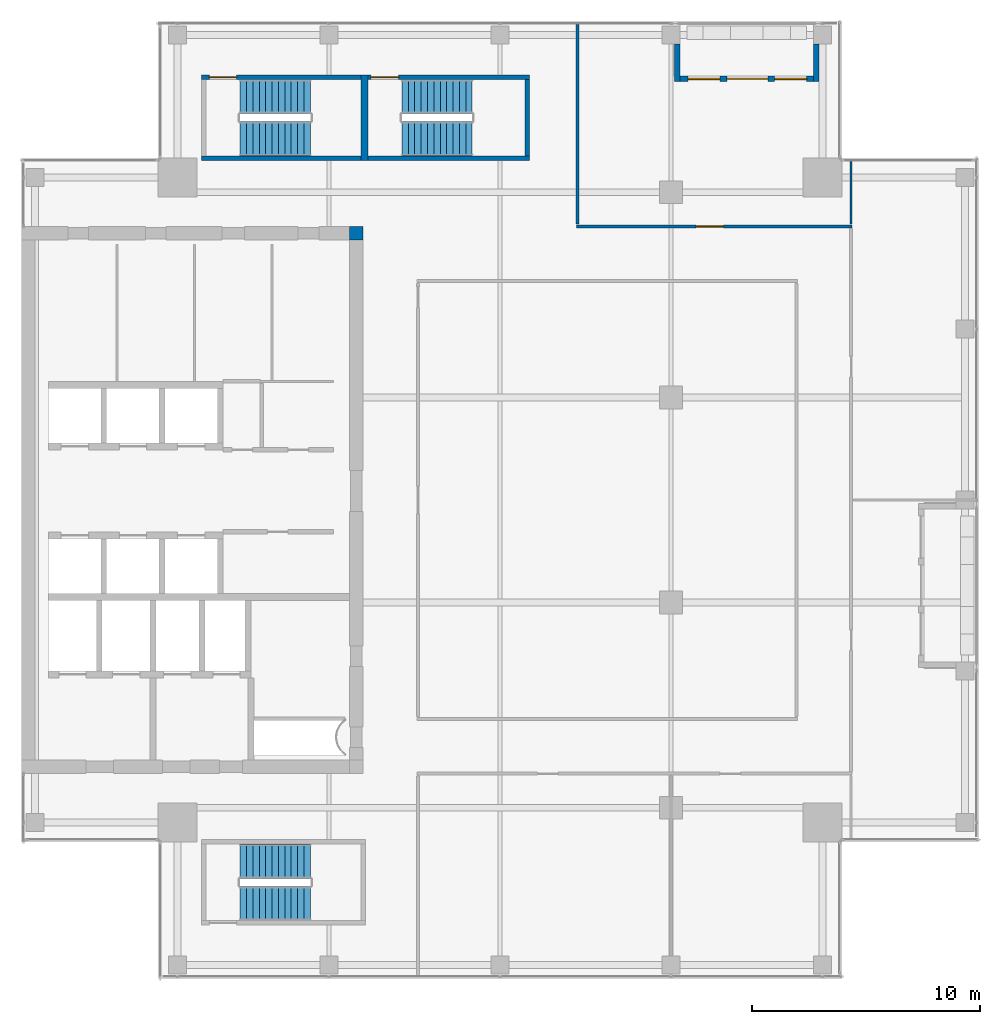
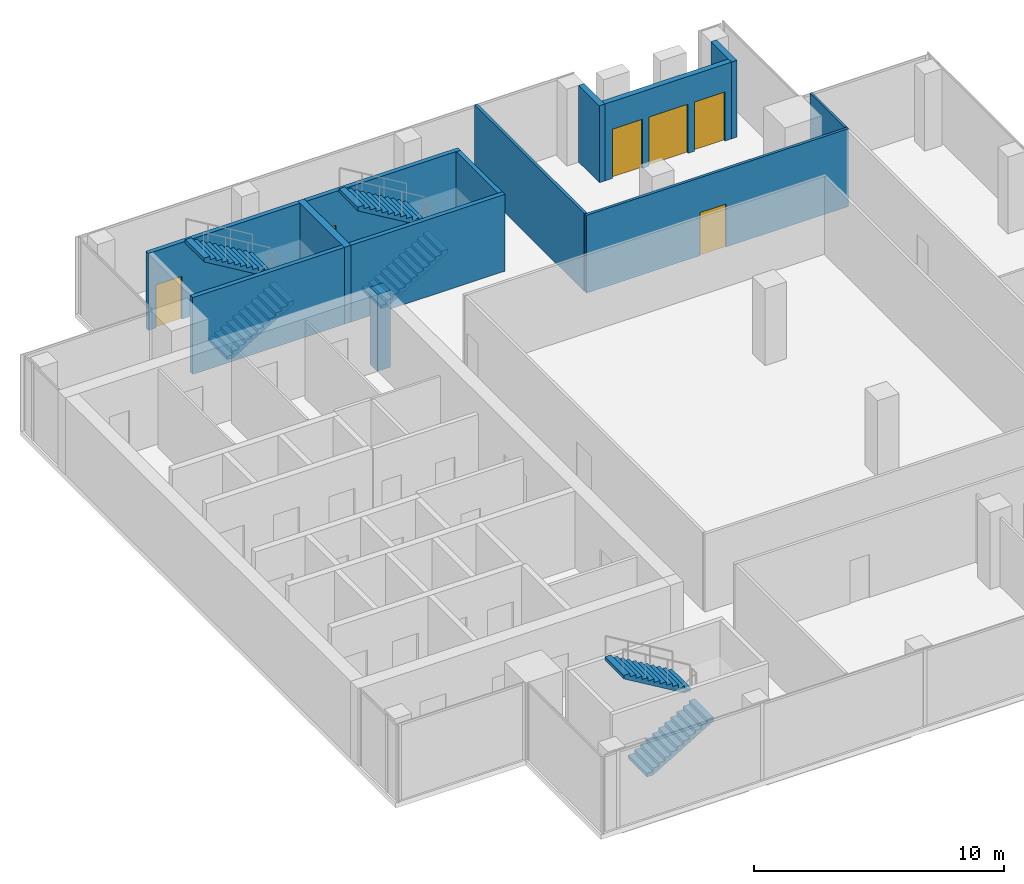
# One storey, part 27 of 29: 13 walls, 6 stair flights, 4 doors, 2 windows, 6 openings, 3 elements without a shape of their own.
"""IFC4 building model written with IfcOpenShell, lengths in metres."""

from ifc_helpers import new_model, si_unit, direction, frame, frame_2d, origin, place, context, subcontext, project, spatial, polyline, rectangle, outline, extrude, source, transform, mapped, material, layer, layer_set, type_object, element, fill, aggregate, save


model = new_model("IFC4")

# Units and contexts
model_context = context("Model", 3, precision=1e-05, world=origin(), true_north=direction((0.0, 1.0)))
body_context = subcontext(model_context, "Body", "Model", "MODEL_VIEW")
ifc_project = project(units=[si_unit("LENGTHUNIT", "METRE"), si_unit("AREAUNIT", "SQUARE_METRE"), si_unit("VOLUMEUNIT", "CUBIC_METRE"), si_unit("PLANEANGLEUNIT", "RADIAN"), si_unit("MASSUNIT", "GRAM", prefix="KILO")], contexts=[model_context])

# Site, building, storey
site_placement = place(None, origin())
site = spatial("IfcSite", under=ifc_project, at=site_placement, CompositionType="ELEMENT")
building_placement = place(site_placement, origin())
building = spatial("IfcBuilding", under=site, at=building_placement, Name="Khomas Fold Tower", CompositionType="ELEMENT")
storey_placement = place(building_placement, frame((0.0, 0.0, 326.199951171875)))
storey = spatial("IfcBuildingStorey", under=building, at=storey_placement, Name="L74", CompositionType="ELEMENT", Elevation=326.199951171875)

# Wall, opening, door
ifc_material_1 = material(Name="Concrete C50/60", Category="concrete")
ifc_layer_1 = layer(ifc_material_1, 0.199951171875)
ifc_layer_set_1 = layer_set([ifc_layer_1], Name="Concrete C50/60")
wall_type_1 = type_object("IfcWallType", Name="Stair wall 200", PredefinedType="SHEAR", material=ifc_layer_set_1)
shared_shape_1 = source(origin(), body_context, "Body", "SweptSolid", [
    extrude(rectangle(XDim=7.0, YDim=0.199951171875, at=frame_2d((3.5, 0.0))), origin(), (0.0, 0.0, 1.0), 3.75),
])
wall_1_placement = place(storey_placement, frame((13.89990234375, 45.550048828125, 0.0), z_axis=(0.0, 0.0, 1.0), x_axis=(1.0, 0.0, 0.0)))
wall_1 = element("IfcWall", 1, at=wall_1_placement, inside=storey, type_object=wall_type_1, Name="Stair wall SW-ST1-N", PredefinedType="SHEAR", context=body_context, shape_type="MappedRepresentation", body=[
    mapped(shared_shape_1, transform((0.0, 0.0, 0.0))),
])
shared_shape_2 = source(origin(), body_context, "Body", "SweptSolid", [
    extrude(rectangle(XDim=1.199951171875, YDim=2.10009765625, at=frame_2d((0.60009765625, 1.050048828125))), frame((0.0, 0.10986328125, 0.0), z_axis=(0.0, -1.0, 0.0), x_axis=(1.0, 0.0, 0.0)), (0.0, 0.0, 1.0), 0.219970703125),
])
opening_1_placement = place(wall_1_placement, frame((0.35009765625, 0.0, 0.0)))
opening_1 = element("IfcOpeningElement", 2, at=opening_1_placement, cuts=wall_1, Name="Opening SD-ST1", PredefinedType="OPENING", context=body_context, shape_type="MappedRepresentation", body=[
    mapped(shared_shape_2, transform((0.0, 0.0, 0.0))),
])
ifc_material_2 = material(Name="Steel door leaf", Category="steel")
door_type_1 = type_object("IfcDoorType", Name="Stair door 1200x2100 left-hand", OperationType="SINGLE_SWING_LEFT", PredefinedType="DOOR", material=ifc_material_2)
shared_shape_3 = source(origin(), body_context, "Body", "SweptSolid", [
    extrude(rectangle(XDim=1.199951171875, YDim=2.10009765625, at=frame_2d((0.60009765625, 1.050048828125))), frame((0.0, 0.02490234375, 0.0), z_axis=(0.0, -1.0, 0.0), x_axis=(1.0, 0.0, 0.0)), (0.0, 0.0, 1.0), 0.050048828125),
])
door_1_placement = place(opening_1_placement, origin())
door_1 = element("IfcDoor", 3, at=door_1_placement, inside=storey, type_object=door_type_1, Name="Stair door", OperationType="SINGLE_SWING_LEFT", OverallHeight=2.10009765625, OverallWidth=1.199951171875, PredefinedType="DOOR", context=body_context, shape_type="MappedRepresentation", body=[
    mapped(shared_shape_3, transform((0.0, 0.0, 0.0))),
])
fill(opening_1, door_1)

# Wall
wall_2_placement = place(storey_placement, frame((13.89990234375, 42.0, 0.0), z_axis=(0.0, 0.0, 1.0), x_axis=(1.0, 0.0, 0.0)))
element("IfcWall", 4, at=wall_2_placement, inside=storey, type_object=wall_type_1, Name="Stair wall SW-ST1-S", PredefinedType="SHEAR", context=body_context, shape_type="MappedRepresentation", body=[
    mapped(shared_shape_1, transform((0.0, 0.0, 0.0))),
])

# Wall, opening, door
shared_shape_4 = source(origin(), body_context, "Body", "SweptSolid", [
    extrude(rectangle(XDim=7.10009765625, YDim=0.199951171875, at=frame_2d((3.550048828125, 0.0))), origin(), (0.0, 0.0, 1.0), 3.75),
])
wall_3_placement = place(storey_placement, frame((21.199951171875, 45.550048828125, 0.0), z_axis=(0.0, 0.0, 1.0), x_axis=(1.0, 0.0, 0.0)))
wall_3 = element("IfcWall", 5, at=wall_3_placement, inside=storey, type_object=wall_type_1, Name="Stair wall SW-ST3-N", PredefinedType="SHEAR", context=body_context, shape_type="MappedRepresentation", body=[
    mapped(shared_shape_4, transform((0.0, 0.0, 0.0))),
])
opening_2_placement = place(wall_3_placement, frame((0.14990234375, 0.0, 0.0)))
opening_2 = element("IfcOpeningElement", 6, at=opening_2_placement, cuts=wall_3, Name="Opening SD-ST3", PredefinedType="OPENING", context=body_context, shape_type="MappedRepresentation", body=[
    mapped(shared_shape_2, transform((0.0, 0.0, 0.0))),
])
door_2_placement = place(opening_2_placement, origin())
door_2 = element("IfcDoor", 7, at=door_2_placement, inside=storey, type_object=door_type_1, Name="Stair door", OperationType="SINGLE_SWING_LEFT", OverallHeight=2.10009765625, OverallWidth=1.199951171875, PredefinedType="DOOR", context=body_context, shape_type="MappedRepresentation", body=[
    mapped(shared_shape_3, transform((0.0, 0.0, 0.0))),
])
fill(opening_2, door_2)

# Walls
wall_4_placement = place(storey_placement, frame((21.199951171875, 42.0, 0.0), z_axis=(0.0, 0.0, 1.0), x_axis=(1.0, 0.0, 0.0)))
element("IfcWall", 8, at=wall_4_placement, inside=storey, type_object=wall_type_1, Name="Stair wall SW-ST3-S", PredefinedType="SHEAR", context=body_context, shape_type="MappedRepresentation", body=[
    mapped(shared_shape_4, transform((0.0, 0.0, 0.0))),
])
ifc_material_3 = material(Name="Concrete C50/60", Category="concrete")
ifc_layer_2 = layer(ifc_material_3, 0.300048828125)
ifc_layer_set_2 = layer_set([ifc_layer_2], Name="Concrete C50/60")
wall_type_2 = type_object("IfcWallType", Name="Stair wall 300", PredefinedType="SHEAR", material=ifc_layer_set_2)
shared_shape_5 = source(origin(), body_context, "Body", "SweptSolid", [
    extrude(rectangle(XDim=3.75, YDim=0.300048828125, at=frame_2d((1.875, 0.0))), origin(), (0.0, 0.0, 1.0), 3.75),
])
wall_5_placement = place(storey_placement, frame((21.050048828125, 41.89990234375, 0.0), z_axis=(0.0, 0.0, 1.0), x_axis=(0.0, 1.0, 0.0)))
element("IfcWall", 9, at=wall_5_placement, inside=storey, type_object=wall_type_2, Name="Stair wall SW-ST1-E", PredefinedType="SHEAR", context=body_context, shape_type="MappedRepresentation", body=[
    mapped(shared_shape_5, transform((0.0, 0.0, 0.0))),
])
shared_shape_6 = source(origin(), body_context, "Body", "SweptSolid", [
    extrude(rectangle(XDim=3.349853515625, YDim=0.199951171875, at=frame_2d((1.6748046875, 0.0))), origin(), (0.0, 0.0, 1.0), 3.75),
])
wall_6_placement = place(storey_placement, frame((28.199951171875, 42.10009765625, 0.0), z_axis=(0.0, 0.0, 1.0), x_axis=(0.0, 1.0, 0.0)))
element("IfcWall", 10, at=wall_6_placement, inside=storey, type_object=wall_type_1, Name="Stair wall SW-ST3-E", PredefinedType="SHEAR", context=body_context, shape_type="MappedRepresentation", body=[
    mapped(shared_shape_6, transform((0.0, 0.0, 0.0))),
])
ifc_material_4 = material(Name="Concrete C50/60", Category="concrete")
ifc_layer_3 = layer(ifc_material_4, 0.60009765625)
ifc_layer_set_3 = layer_set([ifc_layer_3], Name="Concrete C50/60")
wall_type_3 = type_object("IfcWallType", Name="Core corner wall 600", PredefinedType="SHEAR", material=ifc_layer_set_3)
shared_shape_7 = source(origin(), body_context, "Body", "SweptSolid", [
    extrude(rectangle(XDim=0.60009765625, YDim=0.60009765625, at=frame_2d((0.300048828125, 0.0))), origin(), (0.0, 0.0, 1.0), 3.75),
])
wall_7_placement = place(storey_placement, frame((20.39990234375, 38.699951171875, 0.0), z_axis=(0.0, 0.0, 1.0), x_axis=(1.0, 0.0, 0.0)))
element("IfcWall", 11, at=wall_7_placement, inside=storey, type_object=wall_type_3, Name="Core wall CW-U-NE-L63", PredefinedType="SHEAR", context=body_context, shape_type="MappedRepresentation", body=[
    mapped(shared_shape_7, transform((0.0, 0.0, 0.0))),
])

# Wall, openings, door, windows
ifc_material_5 = material(Name="Natural stone", Category="masonry")
ifc_layer_4 = layer(ifc_material_5, 0.0400390625)
ifc_material_6 = material(Name="Mineral wool insulation", Category="insulation")
ifc_layer_5 = layer(ifc_material_6, 0.10009765625)
ifc_material_7 = material(Name="Masonry", Category="masonry")
ifc_layer_6 = layer(ifc_material_7, 0.110107421875)
ifc_layer_set_4 = layer_set([ifc_layer_4, ifc_layer_5, ifc_layer_6], Name="Stone-faced insulated masonry")
wall_type_4 = type_object("IfcWallType", Name="BL-Balcony wall", PredefinedType="SOLIDWALL", material=ifc_layer_set_4)
shared_shape_8 = source(origin(), body_context, "Body", "SweptSolid", [
    extrude(rectangle(XDim=5.85009765625, YDim=0.25, at=frame_2d((2.925048828125, 0.0))), origin(), (0.0, 0.0, 1.0), 3.75),
])
wall_8_placement = place(storey_placement, frame((34.89990234375, 45.47509765625, 0.0), z_axis=(0.0, 0.0, 1.0), x_axis=(1.0, 0.0, 0.0)))
wall_8 = element("IfcWall", 12, at=wall_8_placement, inside=storey, type_object=wall_type_4, Name="Balcony wall BAL-L74-N4", PredefinedType="SOLIDWALL", context=body_context, shape_type="MappedRepresentation", body=[
    mapped(shared_shape_8, transform((0.0, 0.0, 0.0))),
])
shared_shape_9 = source(origin(), body_context, "Body", "SweptSolid", [
    extrude(rectangle(XDim=1.39990234375, YDim=2.39990234375, at=frame_2d((0.699951171875, 1.199951171875))), frame((0.0, 0.135009765625, 0.0), z_axis=(0.0, -1.0, 0.0), x_axis=(1.0, 0.0, 0.0)), (0.0, 0.0, 1.0), 0.27001953125),
])
opening_3_placement = place(wall_8_placement, frame((0.35009765625, 0.0, 0.0)))
opening_3 = element("IfcOpeningElement", 13, at=opening_3_placement, cuts=wall_8, Name="Opening BL-W6", PredefinedType="OPENING", context=body_context, shape_type="MappedRepresentation", body=[
    mapped(shared_shape_9, transform((0.0, 0.0, 0.0))),
])
opening_4_placement = place(wall_8_placement, frame((4.14990234375, 0.0, 0.0)))
opening_4 = element("IfcOpeningElement", 14, at=opening_4_placement, cuts=wall_8, Name="Opening BL-W6", PredefinedType="OPENING", context=body_context, shape_type="MappedRepresentation", body=[
    mapped(shared_shape_9, transform((0.0, 0.0, 0.0))),
])
shared_shape_10 = source(origin(), body_context, "Body", "SweptSolid", [
    extrude(rectangle(XDim=1.800048828125, YDim=2.39990234375, at=frame_2d((0.89990234375, 1.199951171875))), frame((0.0, 0.135009765625, 0.0), z_axis=(0.0, -1.0, 0.0), x_axis=(1.0, 0.0, 0.0)), (0.0, 0.0, 1.0), 0.27001953125),
])
opening_5_placement = place(wall_8_placement, frame((2.050048828125, 0.0, 0.0)))
opening_5 = element("IfcOpeningElement", 15, at=opening_5_placement, cuts=wall_8, Name="Opening BD742", PredefinedType="OPENING", context=body_context, shape_type="MappedRepresentation", body=[
    mapped(shared_shape_10, transform((0.0, 0.0, 0.0))),
])
ifc_material_8 = material(Name="Aluminium framed double glazing", Category="aluminium")
door_type_2 = type_object("IfcDoorType", Name="BL-Glazed balcony door 1800 x 2400", OperationType="DOUBLE_DOOR_DOUBLE_SWING", PredefinedType="DOOR", material=ifc_material_8)
shared_shape_11 = source(origin(), body_context, "Body", "SweptSolid", [
    extrude(rectangle(XDim=1.800048828125, YDim=2.39990234375, at=frame_2d((0.89990234375, 1.199951171875))), frame((0.0, 0.02490234375, 0.0), z_axis=(0.0, -1.0, 0.0), x_axis=(1.0, 0.0, 0.0)), (0.0, 0.0, 1.0), 0.050048828125),
])
door_3_placement = place(opening_5_placement, origin())
door_3 = element("IfcDoor", 16, at=door_3_placement, inside=storey, type_object=door_type_2, Name="Balcony door BD742", OperationType="DOUBLE_DOOR_DOUBLE_SWING", OverallHeight=2.39990234375, OverallWidth=1.800048828125, PredefinedType="DOOR", context=body_context, shape_type="MappedRepresentation", body=[
    mapped(shared_shape_11, transform((0.0, 0.0, 0.0))),
])
fill(opening_5, door_3)
ifc_material_9 = material(Name="Aluminium framed double glazing", Category="aluminium")
window_type = type_object("IfcWindowType", Name="BL-Fixed glazing 1400 x 2400", PartitioningType="SINGLE_PANEL", PredefinedType="WINDOW", material=ifc_material_9)
shared_shape_12 = source(origin(), body_context, "Body", "SweptSolid", [
    extrude(rectangle(XDim=1.39990234375, YDim=2.39990234375, at=frame_2d((0.699951171875, 1.199951171875))), frame((0.0, 0.030029296875, 0.0), z_axis=(0.0, -1.0, 0.0), x_axis=(1.0, 0.0, 0.0)), (0.0, 0.0, 1.0), 0.06005859375),
])
window_1_placement = place(opening_3_placement, origin())
window_1 = element("IfcWindow", 17, at=window_1_placement, inside=storey, type_object=window_type, Name="Balcony glazing BAL-L74-N4-1", OverallHeight=2.39990234375, OverallWidth=1.39990234375, PartitioningType="SINGLE_PANEL", PredefinedType="WINDOW", context=body_context, shape_type="MappedRepresentation", body=[
    mapped(shared_shape_12, transform((0.0, 0.0, 0.0))),
])
fill(opening_3, window_1)
window_2_placement = place(opening_4_placement, origin())
window_2 = element("IfcWindow", 18, at=window_2_placement, inside=storey, type_object=window_type, Name="Balcony glazing BAL-L74-N4-2", OverallHeight=2.39990234375, OverallWidth=1.39990234375, PartitioningType="SINGLE_PANEL", PredefinedType="WINDOW", context=body_context, shape_type="MappedRepresentation", body=[
    mapped(shared_shape_12, transform((0.0, 0.0, 0.0))),
])
fill(opening_4, window_2)

# Walls
shared_shape_13 = source(origin(), body_context, "Body", "SweptSolid", [
    extrude(rectangle(XDim=1.64990234375, YDim=0.25, at=frame_2d((0.824951171875, 0.0))), origin(), (0.0, 0.0, 1.0), 3.75),
])
for number, where, z_axis, x_axis, name in (
    (19, (34.77490234375, 47.0, 0.0), (0.0, 0.0, 1.0), (0.0, -1.0, 0.0), "Balcony return wall BAL-L74-N4-lo"),
    (20, (40.875, 47.0, 0.0), (0.0, 0.0, 1.0), (0.0, -1.0, 0.0), "Balcony return wall BAL-L74-N4-hi"),
):
    element("IfcWall", number, at=place(storey_placement, frame(where, z_axis=z_axis, x_axis=x_axis)), inside=storey, type_object=wall_type_4, Name=name, PredefinedType="SOLIDWALL", context=body_context, shape_type="MappedRepresentation", body=[
        mapped(shared_shape_13, transform((0.0, 0.0, 0.0))),
    ])
ifc_material_10 = material(Name="Plasterboard partition")
ifc_layer_7 = layer(ifc_material_10, 0.125)
ifc_layer_set_5 = layer_set([ifc_layer_7], Name="Plasterboard partition")
wall_type_5 = type_object("IfcWallType", Name="Partition PW2 125", PredefinedType="PARTITIONING", material=ifc_layer_set_5)
shared_shape_14 = source(origin(), body_context, "Body", "SweptSolid", [
    extrude(rectangle(XDim=8.75, YDim=0.125, at=frame_2d((4.375, 0.0))), origin(), (0.0, 0.0, 1.0), 3.800048828125),
])
wall_9_placement = place(storey_placement, frame((30.39990234375, 39.10009765625, 0.0), z_axis=(0.0, 0.0, 1.0), x_axis=(0.0, 1.0, 0.0)))
element("IfcWall", 21, at=wall_9_placement, inside=storey, type_object=wall_type_5, Name="Partition", PredefinedType="PARTITIONING", context=body_context, shape_type="MappedRepresentation", body=[
    mapped(shared_shape_14, transform((0.0, 0.0, 0.0))),
])
ifc_material_11 = material(Name="Plasterboard partition")
ifc_layer_8 = layer(ifc_material_11, 0.10009765625)
ifc_layer_set_6 = layer_set([ifc_layer_8], Name="Plasterboard partition")
wall_type_6 = type_object("IfcWallType", Name="Partition PW1 100", PredefinedType="PARTITIONING", material=ifc_layer_set_6)
shared_shape_15 = source(origin(), body_context, "Body", "SweptSolid", [
    extrude(rectangle(XDim=2.75, YDim=0.10009765625, at=frame_2d((1.375, 0.0))), origin(), (0.0, 0.0, 1.0), 3.800048828125),
])
wall_10_placement = place(storey_placement, frame((42.39990234375, 39.10009765625, 0.0), z_axis=(0.0, 0.0, 1.0), x_axis=(0.0, 1.0, 0.0)))
element("IfcWall", 22, at=wall_10_placement, inside=storey, type_object=wall_type_6, Name="Partition", PredefinedType="PARTITIONING", context=body_context, shape_type="MappedRepresentation", body=[
    mapped(shared_shape_15, transform((0.0, 0.0, 0.0))),
])

# Wall, opening, door
shared_shape_16 = source(origin(), body_context, "Body", "SweptSolid", [
    extrude(rectangle(XDim=12.099853515625, YDim=0.125, at=frame_2d((6.0498046875, 0.0))), origin(), (0.0, 0.0, 1.0), 3.800048828125),
])
wall_11_placement = place(storey_placement, frame((30.35009765625, 39.0, 0.0), z_axis=(0.0, 0.0, 1.0), x_axis=(1.0, 0.0, 0.0)))
wall_11 = element("IfcWall", 23, at=wall_11_placement, inside=storey, type_object=wall_type_5, Name="Partition", PredefinedType="PARTITIONING", context=body_context, shape_type="MappedRepresentation", body=[
    mapped(shared_shape_16, transform((0.0, 0.0, 0.0))),
])
shared_shape_17 = source(origin(), body_context, "Body", "SweptSolid", [
    extrude(rectangle(XDim=1.199951171875, YDim=2.10009765625, at=frame_2d((0.60009765625, 1.050048828125))), frame((0.0, 0.072509765625, 0.0), z_axis=(0.0, -1.0, 0.0), x_axis=(1.0, 0.0, 0.0)), (0.0, 0.0, 1.0), 0.14501953125),
])
opening_6_placement = place(wall_11_placement, frame((5.25, 0.0, 0.0)))
opening_6 = element("IfcOpeningElement", 24, at=opening_6_placement, cuts=wall_11, Name="Opening 0013", PredefinedType="OPENING", context=body_context, shape_type="MappedRepresentation", body=[
    mapped(shared_shape_17, transform((0.0, 0.0, 0.0))),
])
ifc_material_12 = material(Name="Timber door leaf", Category="wood")
door_type_3 = type_object("IfcDoorType", Name="Door 1200x2100 left-hand", OperationType="SINGLE_SWING_LEFT", PredefinedType="DOOR", material=ifc_material_12)
door_4_placement = place(opening_6_placement, origin())
door_4 = element("IfcDoor", 25, at=door_4_placement, inside=storey, type_object=door_type_3, Name="Door", OperationType="SINGLE_SWING_LEFT", OverallHeight=2.10009765625, OverallWidth=1.199951171875, PredefinedType="DOOR", context=body_context, shape_type="MappedRepresentation", body=[
    mapped(shared_shape_3, transform((0.0, 0.0, 0.0))),
])
fill(opening_6, door_4)

# Stair, stair flights
ifc_material_13 = material(Name="Concrete C40/50", Category="concrete")
stair_type_1 = type_object("IfcStairType", Name="Stair ST1", PredefinedType="HALF_TURN_STAIR", material=ifc_material_13)
stair_1_placement = place(storey_placement, origin())
stair_1 = element("IfcStair", 26, at=stair_1_placement, inside=storey, type_object=stair_type_1, Name="L74 ST1", PredefinedType="HALF_TURN_STAIR")
ifc_material_14 = material(Name="Concrete C40/50", Category="concrete")
stair_flight_type_1 = type_object("IfcStairFlightType", Name="Stair flight 1500 ST1", PredefinedType="STRAIGHT", material=ifc_material_14)
shared_shape_18 = source(origin(), body_context, "Body", "SweptSolid", [
    extrude(outline(polyline([(0.0, 0.0), (0.0, 0.012939453125), (0.0, 0.025634765625), (0.0, 0.03857421875), (0.0, 0.05126953125), (0.0, 0.064208984375), (0.0, 0.076904296875), (0.0, 0.08984375), (0.0, 0.1025390625), (0.0, 0.115478515625), (0.0, 0.128173828125), (0.0, 0.14111328125), (0.0, 0.15380859375), (0.0, 0.166748046875), (0.280029296875, 0.166748046875), (0.280029296875, 0.333251953125), (0.56005859375, 0.333251953125), (0.56005859375, 0.5), (0.840087890625, 0.5), (0.840087890625, 0.666748046875), (1.1201171875, 0.666748046875), (1.1201171875, 0.833251953125), (1.39990234375, 0.833251953125), (1.39990234375, 1.0), (1.679931640625, 1.0), (1.679931640625, 1.166748046875), (1.9599609375, 1.166748046875), (1.9599609375, 1.333251953125), (2.239990234375, 1.333251953125), (2.239990234375, 1.5), (2.52001953125, 1.5), (2.52001953125, 1.666748046875), (2.800048828125, 1.666748046875), (2.800048828125, 1.833251953125), (3.080078125, 1.833251953125), (3.080078125, 2.0), (3.080078125, 1.973876953125), (3.080078125, 1.947509765625), (3.080078125, 1.92138671875), (3.080078125, 1.89501953125), (3.080078125, 1.868896484375), (3.080078125, 1.842529296875), (3.080078125, 1.81640625), (3.080078125, 1.7900390625), (3.080078125, 1.763916015625), (3.080078125, 1.737548828125), (3.080078125, 1.71142578125), (3.080078125, 1.68505859375), (3.080078125, 1.658935546875), (0.29296875, 0.0), (0.0, 0.0)])), frame((0.0, 0.75, 0.0), z_axis=(0.0, -1.0, 0.0), x_axis=(1.0, 0.0, 0.0)), (0.0, 0.0, 1.0), 1.5),
])
stair_flight_1_placement = place(storey_placement, frame((15.60009765625, 42.85009765625, 0.0), z_axis=(0.0, 0.0, 1.0), x_axis=(1.0, 0.0, 0.0)))
stair_flight_1 = element("IfcStairFlight", 27, at=stair_flight_1_placement, type_object=stair_flight_type_1, Name="ST1 flight 1", NumberOfRisers=12, NumberOfTreads=11, PredefinedType="STRAIGHT", RiserHeight=0.166666667, TreadLength=0.28, context=body_context, shape_type="MappedRepresentation", body=[
    mapped(shared_shape_18, transform((0.0, 0.0, 0.0))),
])
stair_flight_2_placement = place(storey_placement, frame((18.679931640625, 44.699951171875, 2.0), z_axis=(0.0, 0.0, 1.0), x_axis=(-1.0, 0.0, 0.0)))
stair_flight_2 = element("IfcStairFlight", 28, at=stair_flight_2_placement, type_object=stair_flight_type_1, Name="ST1 flight 2", NumberOfRisers=12, NumberOfTreads=11, PredefinedType="STRAIGHT", RiserHeight=0.166666667, TreadLength=0.28, context=body_context, shape_type="MappedRepresentation", body=[
    mapped(shared_shape_18, transform((0.0, 0.0, 0.0))),
])
aggregate(stair_1, [stair_flight_1, stair_flight_2])

ifc_material_15 = material(Name="Concrete C40/50", Category="concrete")
stair_type_2 = type_object("IfcStairType", Name="Stair ST2", PredefinedType="HALF_TURN_STAIR", material=ifc_material_15)
stair_2_placement = place(storey_placement, origin())
stair_2 = element("IfcStair", 29, at=stair_2_placement, inside=storey, type_object=stair_type_2, Name="L74 ST2", PredefinedType="HALF_TURN_STAIR")
ifc_material_16 = material(Name="Concrete C40/50", Category="concrete")
stair_flight_type_2 = type_object("IfcStairFlightType", Name="Stair flight 1500 ST2", PredefinedType="STRAIGHT", material=ifc_material_16)
stair_flight_3_placement = place(storey_placement, frame((15.60009765625, 9.300048828125, 0.0), z_axis=(0.0, 0.0, 1.0), x_axis=(1.0, 0.0, 0.0)))
stair_flight_3 = element("IfcStairFlight", 30, at=stair_flight_3_placement, type_object=stair_flight_type_2, Name="ST2 flight 1", NumberOfRisers=12, NumberOfTreads=11, PredefinedType="STRAIGHT", RiserHeight=0.166666667, TreadLength=0.28, context=body_context, shape_type="MappedRepresentation", body=[
    mapped(shared_shape_18, transform((0.0, 0.0, 0.0))),
])
stair_flight_4_placement = place(storey_placement, frame((18.679931640625, 11.14990234375, 2.0), z_axis=(0.0, 0.0, 1.0), x_axis=(-1.0, 0.0, 0.0)))
stair_flight_4 = element("IfcStairFlight", 31, at=stair_flight_4_placement, type_object=stair_flight_type_2, Name="ST2 flight 2", NumberOfRisers=12, NumberOfTreads=11, PredefinedType="STRAIGHT", RiserHeight=0.166666667, TreadLength=0.28, context=body_context, shape_type="MappedRepresentation", body=[
    mapped(shared_shape_18, transform((0.0, 0.0, 0.0))),
])
aggregate(stair_2, [stair_flight_3, stair_flight_4])

ifc_material_17 = material(Name="Concrete C40/50", Category="concrete")
stair_type_3 = type_object("IfcStairType", Name="Stair ST3", PredefinedType="HALF_TURN_STAIR", material=ifc_material_17)
stair_3_placement = place(storey_placement, origin())
stair_3 = element("IfcStair", 32, at=stair_3_placement, inside=storey, type_object=stair_type_3, Name="L74 ST3", PredefinedType="HALF_TURN_STAIR")
ifc_material_18 = material(Name="Concrete C40/50", Category="concrete")
stair_flight_type_3 = type_object("IfcStairFlightType", Name="Stair flight 1500 ST3", PredefinedType="STRAIGHT", material=ifc_material_18)
stair_flight_5_placement = place(storey_placement, frame((22.699951171875, 42.85009765625, 0.0), z_axis=(0.0, 0.0, 1.0), x_axis=(1.0, 0.0, 0.0)))
stair_flight_5 = element("IfcStairFlight", 33, at=stair_flight_5_placement, type_object=stair_flight_type_3, Name="ST3 flight 1", NumberOfRisers=12, NumberOfTreads=11, PredefinedType="STRAIGHT", RiserHeight=0.166666667, TreadLength=0.28, context=body_context, shape_type="MappedRepresentation", body=[
    mapped(shared_shape_18, transform((0.0, 0.0, 0.0))),
])
stair_flight_6_placement = place(storey_placement, frame((25.780029296875, 44.699951171875, 2.0), z_axis=(0.0, 0.0, 1.0), x_axis=(-1.0, 0.0, 0.0)))
stair_flight_6 = element("IfcStairFlight", 34, at=stair_flight_6_placement, type_object=stair_flight_type_3, Name="ST3 flight 2", NumberOfRisers=12, NumberOfTreads=11, PredefinedType="STRAIGHT", RiserHeight=0.166666667, TreadLength=0.28, context=body_context, shape_type="MappedRepresentation", body=[
    mapped(shared_shape_18, transform((0.0, 0.0, 0.0))),
])
aggregate(stair_3, [stair_flight_5, stair_flight_6])

save(model, "model.ifc")
